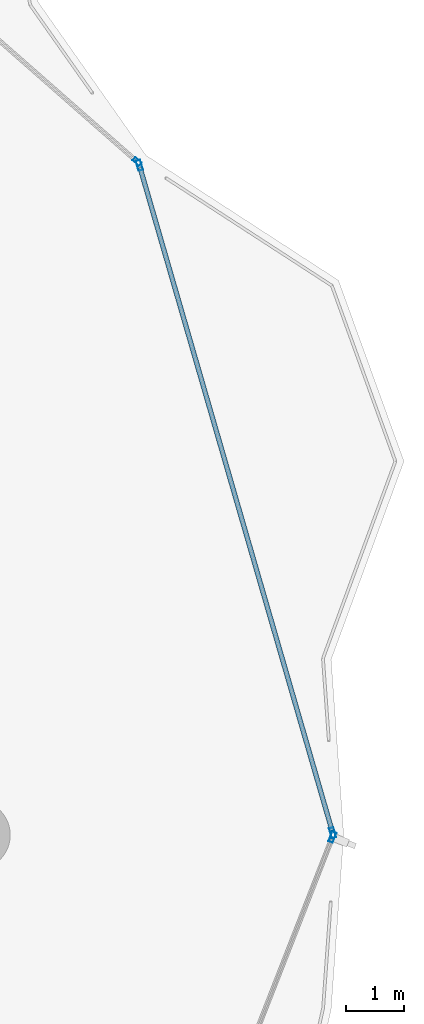
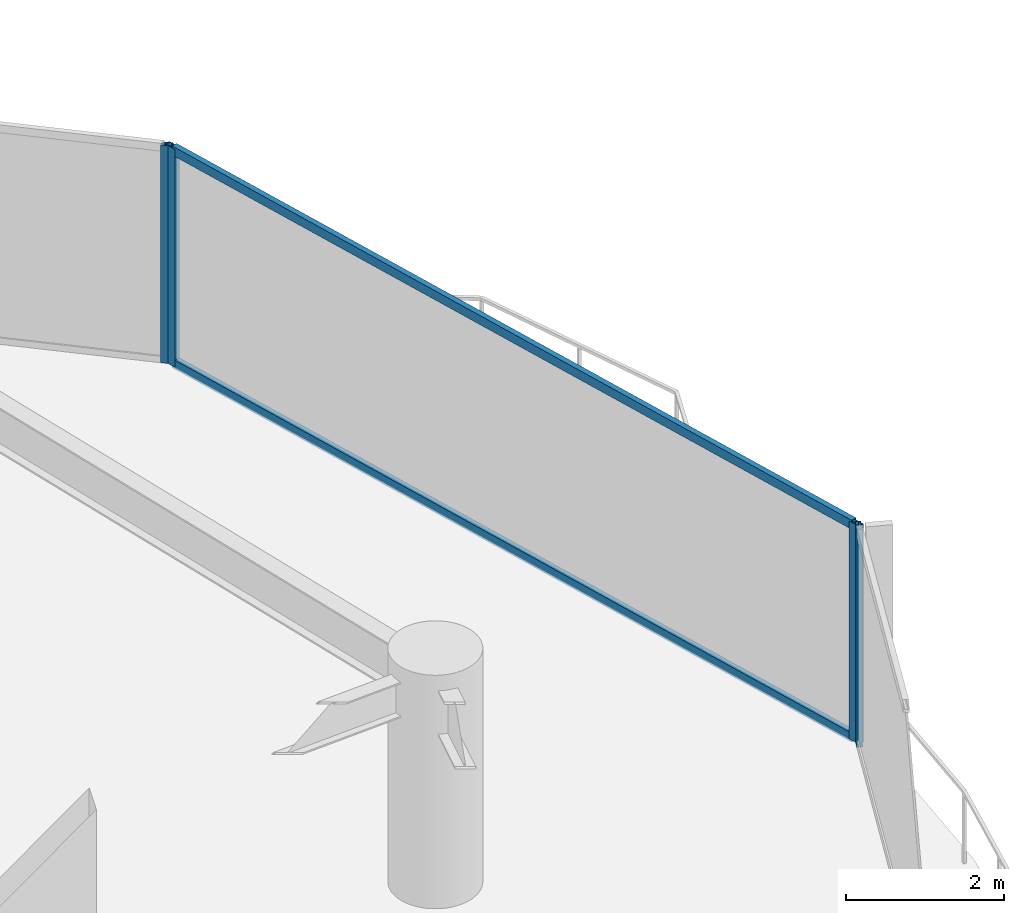
# One storey, part 24 of 34: 6 members, 3 elements without a shape of their own.
"""IFC4 building model written with IfcOpenShell, lengths in metres."""

import ifcopenshell
import ifcopenshell.guid

model = None  # the IFC model being written
_history = None  # IfcOwnerHistory: only IFC2X3 demands one
_inside = {}  # id of a spatial element -> (the spatial element, [elements in it])
_under = {}  # id of a project, library or spatial element -> (it, [spatial elements below it])
_declared = {}  # id of a project -> (the project, [libraries it declares])
_typed = {}  # id of a type object -> (the type object, [elements of that type])
_made_of = {}  # id of a material, layer set ... -> (it, [elements and type objects made of it])


def new_model(schema):
    """Start an empty IFC model of exactly this schema.

    Asked for "IFC4X3", IfcOpenShell would pick the latest addendum, in which some entities
    have other attributes; the version numbers below select the first issue.
    IFC2X3 requires an IfcOwnerHistory on every rooted entity: one is made here for all.
    """
    global model, _history
    if schema == "IFC4X3":
        model = ifcopenshell.file(schema_version=(4, 3, 0, 0))
    else:
        model = ifcopenshell.file(schema=schema)
    _inside.clear()
    _under.clear()
    _declared.clear()
    _typed.clear()
    _made_of.clear()
    _history = None
    if model.schema == "IFC2X3":
        org = make("IfcOrganization", Name="unknown")
        user = make(
            "IfcPersonAndOrganization",
            ThePerson=make("IfcPerson", FamilyName="unknown"),
            TheOrganization=org,
        )
        app = make(
            "IfcApplication",
            ApplicationDeveloper=org,
            Version="unknown",
            ApplicationFullName="unknown",
            ApplicationIdentifier="unknown",
        )
        _history = make(
            "IfcOwnerHistory",
            OwningUser=user,
            OwningApplication=app,
            ChangeAction="ADDED",
            CreationDate=0,
        )
    return model


def make(cls, **values):
    """One entity of the class cls with the attributes given. An attribute that is None is left unset."""
    return model.create_entity(
        cls, **{name: value for name, value in values.items() if value is not None}
    )


def rooted(cls, **values):
    """An entity with a GlobalId (a new one), such as an element, a storey or a relation."""
    return make(cls, GlobalId=ifcopenshell.guid.new(), OwnerHistory=_history, **values)


def si_unit(unit_type, name, prefix=None):
    """IfcSIUnit, for example si_unit("LENGTHUNIT", "METRE", prefix="MILLI")."""
    return make("IfcSIUnit", UnitType=unit_type, Prefix=prefix, Name=name)


def assignment(units):
    """IfcUnitAssignment: the units of a project."""
    return None if units is None else make("IfcUnitAssignment", Units=units)


def point(xyz):
    """IfcCartesianPoint."""
    return None if xyz is None else make("IfcCartesianPoint", Coordinates=xyz)


def direction(xyz):
    """IfcDirection."""
    return None if xyz is None else make("IfcDirection", DirectionRatios=xyz)


def frame(location, z_axis=None, x_axis=None):
    """IfcAxis2Placement3D, a coordinate frame: its origin and axes. An axis left out is left unset."""
    return make(
        "IfcAxis2Placement3D",
        Location=point(location),
        Axis=direction(z_axis),
        RefDirection=direction(x_axis),
    )


def frame_2d(location, x_axis=None):
    """IfcAxis2Placement2D, a coordinate frame in the plane: its origin and x axis."""
    return make(
        "IfcAxis2Placement2D", Location=point(location), RefDirection=direction(x_axis)
    )


def origin():
    """The frame at (0, 0, 0) with its axes left unset."""
    return frame((0.0, 0.0, 0.0))


def origin_2d():
    """The frame at (0, 0) in the plane with its x axis left unset."""
    return frame_2d((0.0, 0.0))


def place(relative_to, where):
    """IfcLocalPlacement: puts the frame where relative to a parent placement (None: the world)."""
    return make(
        "IfcLocalPlacement", PlacementRelTo=relative_to, RelativePlacement=where
    )


def context(
    kind, dimensions, precision=None, world=None, true_north=None, identifier=None
):
    """IfcGeometricRepresentationContext, for example the 3D "Model" context."""
    return make(
        "IfcGeometricRepresentationContext",
        ContextIdentifier=identifier,
        ContextType=kind,
        CoordinateSpaceDimension=dimensions,
        Precision=precision,
        WorldCoordinateSystem=world,
        TrueNorth=true_north,
    )


def subcontext(parent, identifier, kind, view, scale=None):
    """IfcGeometricRepresentationSubContext, for example "Body" below "Model"."""
    return make(
        "IfcGeometricRepresentationSubContext",
        ContextIdentifier=identifier,
        ContextType=kind,
        ParentContext=parent,
        TargetScale=scale,
        TargetView=view,
    )


def project(units=None, contexts=None):
    """IfcProject with its units and contexts."""
    return rooted(
        "IfcProject",
        Name="project",
        RepresentationContexts=contexts,
        UnitsInContext=assignment(units),
    )


def spatial(cls, under=None, at=None, **own):
    """A site, building, storey or space (cls), placed at a placement, below another one or the project."""
    s = rooted(cls, ObjectPlacement=at, **own)
    if under is not None:
        _under.setdefault(under.id(), (under, []))[1].append(s)
    return s


def profile(cls, at=None, kind="AREA", **sizes):
    """A parametric profile (cls). Its sizes go by their IFC names, for example OverallWidth=200.0."""
    return make(cls, ProfileType=kind, Position=at, **sizes)


def hollow_rectangle(**sizes):
    """IfcRectangleHollowProfileDef."""
    return profile("IfcRectangleHollowProfileDef", **sizes)


def extrude(swept, where, along, depth):
    """IfcExtrudedAreaSolid: the profile swept, set in the frame where, extruded along a direction by depth."""
    return make(
        "IfcExtrudedAreaSolid",
        SweptArea=swept,
        Position=where,
        ExtrudedDirection=direction(along),
        Depth=depth,
    )


def shape(context_of_items, identifier, shape_type, items):
    """IfcShapeRepresentation: the items that make up one representation, for example the "Body"."""
    return make(
        "IfcShapeRepresentation",
        ContextOfItems=context_of_items,
        RepresentationIdentifier=identifier,
        RepresentationType=shape_type,
        Items=items,
    )


def material(Name=None, Category=None):
    """IfcMaterial."""
    return make("IfcMaterial", Name=Name, Category=Category)


def layer(
    of_material, thickness, ventilated=None, Name=None, Category=None, Priority=None
):
    """IfcMaterialLayer: one layer of a wall or slab, of a material (None: an air gap)."""
    return make(
        "IfcMaterialLayer",
        Material=of_material,
        LayerThickness=thickness,
        IsVentilated=ventilated,
        Name=Name,
        Category=Category,
        Priority=Priority,
    )


def layer_set(layers, Name=None):
    """IfcMaterialLayerSet."""
    return make("IfcMaterialLayerSet", MaterialLayers=layers, LayerSetName=Name)


def material_profile(
    of_material, cross_section, Name=None, Category=None, Priority=None
):
    """IfcMaterialProfile: a cross section and its material."""
    return make(
        "IfcMaterialProfile",
        Name=Name,
        Material=of_material,
        Profile=cross_section,
        Priority=Priority,
        Category=Category,
    )


def profile_set(profiles, Name=None, composite=None):
    """IfcMaterialProfileSet."""
    return make(
        "IfcMaterialProfileSet",
        Name=Name,
        MaterialProfiles=profiles,
        CompositeProfile=composite,
    )


def made_of(thing, what):
    """Note that an element or type object is made of a material, layer set ...; save() writes the relation."""
    if what is not None:
        _made_of.setdefault(what.id(), (what, []))[1].append(thing)
    return thing


def type_object(cls, material=None, **own):
    """A type object (cls), such as IfcWallType, which elements share."""
    return made_of(rooted(cls, **own), material)


def element(
    cls,
    number,
    at=None,
    inside=None,
    cuts=None,
    type_object=None,
    material=None,
    context=None,
    identifier="Body",
    shape_type=None,
    held_by="IfcProductDefinitionShape",
    body=None,
    shapes=None,
    **own,
):
    """One element of the class cls, such as IfcWall. Its Tag is "e" and its number.

    at: its placement. inside: the storey or other place that contains it. cuts: it is an
    opening in that element (IfcRelVoidsElement). A single representation is given by context,
    identifier, shape_type and body (its items); several are given by shapes. held_by: the class
    of the entity that holds the representations. save() writes the other relations.
    """
    e = rooted(cls, Tag="e%d" % number, ObjectPlacement=at, **own)
    if body is not None:
        shapes = [shape(context, identifier, shape_type, body)]
    if shapes is not None:
        e.Representation = make(held_by, Representations=shapes)
    if inside is not None:
        _inside.setdefault(inside.id(), (inside, []))[1].append(e)
    if cuts is not None:
        rooted(
            "IfcRelVoidsElement", RelatingBuildingElement=cuts, RelatedOpeningElement=e
        )
    if type_object is not None:
        _typed.setdefault(type_object.id(), (type_object, []))[1].append(e)
    return made_of(e, material)


def aggregate(whole, parts):
    """IfcRelAggregates: a whole, such as a stair, and the parts it consists of."""
    return rooted("IfcRelAggregates", RelatingObject=whole, RelatedObjects=parts)


def save(model, path):
    """Write the relations noted so far, then the file.

    IfcRelAggregates (storeys below a building ...), IfcRelContainedInSpatialStructure (elements
    in a storey), IfcRelDefinesByType, IfcRelAssociatesMaterial and IfcRelDeclares: one each for
    every whole, place, type object, material and project.
    """
    for whole, parts in _under.values():
        aggregate(whole, parts)
    for where, things in _inside.values():
        rooted(
            "IfcRelContainedInSpatialStructure",
            RelatedElements=things,
            RelatingStructure=where,
        )
    for kind, things in _typed.values():
        rooted("IfcRelDefinesByType", RelatedObjects=things, RelatingType=kind)
    for what, things in _made_of.values():
        rooted("IfcRelAssociatesMaterial", RelatedObjects=things, RelatingMaterial=what)
    for by, libraries in _declared.values():
        rooted("IfcRelDeclares", RelatingContext=by, RelatedDefinitions=libraries)
    model.write(path)


model = new_model("IFC4")

# Units and contexts
model_context = context("Model", 3, precision=1e-05, world=origin(), true_north=direction((0.0, 1.0)))
body_context = subcontext(model_context, "Body", "Model", "MODEL_VIEW")
ifc_project = project(units=[si_unit("LENGTHUNIT", "METRE"), si_unit("AREAUNIT", "SQUARE_METRE"), si_unit("VOLUMEUNIT", "CUBIC_METRE"), si_unit("PLANEANGLEUNIT", "RADIAN"), si_unit("MASSUNIT", "GRAM", prefix="KILO")], contexts=[model_context])

# Site, building, storey
site_placement = place(None, origin())
site = spatial("IfcSite", under=ifc_project, at=site_placement, CompositionType="ELEMENT")
building_placement = place(site_placement, origin())
building = spatial("IfcBuilding", under=site, at=building_placement, Name="Kazevale Care Tower and Concert Hall", CompositionType="ELEMENT")
storey_placement = place(building_placement, frame((0.0, 0.0, 174.60009765625)))
storey = spatial("IfcBuildingStorey", under=building, at=storey_placement, Name="L46", CompositionType="ELEMENT", Elevation=174.60009765625)

# Curtain wall, member
ifc_material_1 = material(Name="Aluminium 6063-T6 and Low-E Glass", Category="aluminium")
ifc_layer_1 = layer(ifc_material_1, 0.179931640625)
ifc_layer_set_1 = layer_set([ifc_layer_1], Name="Aluminium 6063-T6 and Low-E Glass")
curtain_wall_type_1 = type_object("IfcCurtainWallType", Name="Convex Recessed Sunroom Curtain Wall CW-3", PredefinedType="NOTDEFINED", material=ifc_layer_set_1)
curtain_wall_1_placement = place(storey_placement, origin())
curtain_wall_1 = element("IfcCurtainWall", 1, at=curtain_wall_1_placement, inside=storey, type_object=curtain_wall_type_1, Name="cw:L46:f17", PredefinedType="NOTDEFINED")
ifc_material_2 = material(Name="Aluminium 6063-T6", Category="aluminium")
ifc_material_profile_1 = material_profile(ifc_material_2, hollow_rectangle(XDim=0.074951171875, YDim=0.14990234375, WallThickness=0.00390625, at=origin_2d()), Name="ALU75x150x4")
ifc_profile_set_1 = profile_set([ifc_material_profile_1], Name="Aluminium 6063-T6")
member_type_1 = type_object("IfcMemberType", Name="CW-3 Mullion ALU75x150x4", PredefinedType="MULLION", material=ifc_profile_set_1)
member_1_placement = place(storey_placement, frame((75.837890625, 49.607666015625, 0.0), z_axis=(0.0, 0.0, 1.0), x_axis=(0.659891732197, 0.751360700182, 0.0)))
member_1 = element("IfcMember", 2, at=member_1_placement, type_object=member_type_1, Name="CW-3 mullion 2", PredefinedType="MULLION", context=body_context, shape_type="SweptSolid", body=[
    extrude(hollow_rectangle(XDim=0.074951171875, YDim=0.14990234375, WallThickness=0.00390625, at=origin_2d()), origin(), (0.0, 0.0, 1.0), 3.35986328125),
])
aggregate(curtain_wall_1, [member_1])

ifc_layer_2 = layer(ifc_material_1, 0.179931640625)
ifc_layer_set_2 = layer_set([ifc_layer_2], Name="Aluminium 6063-T6 and Low-E Glass")
curtain_wall_type_2 = type_object("IfcCurtainWallType", Name="Waist & Upper Residential Curtain Wall CW-4", PredefinedType="NOTDEFINED", material=ifc_layer_set_2)
curtain_wall_2_placement = place(storey_placement, origin())
curtain_wall_2 = element("IfcCurtainWall", 3, at=curtain_wall_2_placement, inside=storey, type_object=curtain_wall_type_2, Name="cw:L46:f01", PredefinedType="NOTDEFINED")
ifc_material_profile_2 = material_profile(ifc_material_2, hollow_rectangle(XDim=0.080078125, YDim=0.179931640625, WallThickness=0.0048828125, at=origin_2d()), Name="ALU80x180x5")
ifc_profile_set_2 = profile_set([ifc_material_profile_2], Name="Aluminium 6063-T6")
member_type_2 = type_object("IfcMemberType", Name="CW-4 Mullion ALU80x180x5", PredefinedType="MULLION", material=ifc_profile_set_2)
member_2_placement = place(storey_placement, frame((79.205322265625, 37.962646484375, 0.0), z_axis=(0.0, 0.0, 1.0), x_axis=(0.931351746651, -0.36412075471, 0.0)))
member_2 = element("IfcMember", 4, at=member_2_placement, type_object=member_type_2, Name="CW-4 mullion 1", PredefinedType="MULLION", context=body_context, shape_type="SweptSolid", body=[
    extrude(hollow_rectangle(XDim=0.080078125, YDim=0.179931640625, WallThickness=0.0048828125, at=origin_2d()), origin(), (0.0, 0.0, 1.0), 3.35986328125),
])
aggregate(curtain_wall_2, [member_2])

# Curtain wall, members
curtain_wall_3_placement = place(storey_placement, origin())
curtain_wall_3 = element("IfcCurtainWall", 5, at=curtain_wall_3_placement, inside=storey, type_object=curtain_wall_type_2, Name="cw:L46:f18", PredefinedType="NOTDEFINED")
member_3_placement = place(storey_placement, frame((75.877197265625, 49.544677734375, 0.0), z_axis=(0.0, 0.0, 1.0), x_axis=(0.960541529182, 0.278136604418, 0.0)))
member_3 = element("IfcMember", 6, at=member_3_placement, type_object=member_type_2, Name="CW-4 mullion 1", PredefinedType="MULLION", context=body_context, shape_type="SweptSolid", body=[
    extrude(hollow_rectangle(XDim=0.080078125, YDim=0.179931640625, WallThickness=0.0048828125, at=origin_2d()), origin(), (0.0, 0.0, 1.0), 3.35986328125),
])
member_4_placement = place(storey_placement, frame((79.208984375, 38.038330078125, 0.0), z_axis=(0.0, 0.0, 1.0), x_axis=(0.960541529182, 0.278136604418, 0.0)))
member_4 = element("IfcMember", 7, at=member_4_placement, type_object=member_type_2, Name="CW-4 mullion 2", PredefinedType="MULLION", context=body_context, shape_type="SweptSolid", body=[
    extrude(hollow_rectangle(XDim=0.080078125, YDim=0.179931640625, WallThickness=0.0048828125, at=origin_2d()), origin(), (0.0, 0.0, 1.0), 3.35986328125),
])
ifc_material_profile_3 = material_profile(ifc_material_2, hollow_rectangle(XDim=0.080078125, YDim=0.139892578125, WallThickness=0.00390625, at=origin_2d()), Name="ALU80x140x4")
ifc_profile_set_3 = profile_set([ifc_material_profile_3], Name="Aluminium 6063-T6")
member_type_3 = type_object("IfcMemberType", Name="CW-4 Transom ALU80x140x4", PredefinedType="USERDEFINED", material=ifc_profile_set_3)
member_5_placement = place(storey_placement, frame((75.88818359375, 49.506103515625, 0.039794921875), z_axis=(0.278144763179, -0.960539166675, 0.0), x_axis=(0.960539166675, 0.278144763179, 0.0)))
member_5 = element("IfcMember", 8, at=member_5_placement, type_object=member_type_3, Name="CW-4 transom 1.1", ObjectType="TRANSOM", PredefinedType="USERDEFINED", context=body_context, shape_type="SweptSolid", body=[
    extrude(hollow_rectangle(XDim=0.080078125, YDim=0.139892578125, WallThickness=0.00390625, at=origin_2d()), origin(), (0.0, 0.0, 1.0), 11.898681640625),
])
member_6_placement = place(storey_placement, frame((75.88818359375, 49.506103515625, 3.31982421875), z_axis=(0.278144763179, -0.960539166675, 0.0), x_axis=(0.960539166675, 0.278144763179, 0.0)))
member_6 = element("IfcMember", 9, at=member_6_placement, type_object=member_type_3, Name="CW-4 transom 1.2", ObjectType="TRANSOM", PredefinedType="USERDEFINED", context=body_context, shape_type="SweptSolid", body=[
    extrude(hollow_rectangle(XDim=0.080078125, YDim=0.139892578125, WallThickness=0.00390625, at=origin_2d()), origin(), (0.0, 0.0, 1.0), 11.898681640625),
])
aggregate(curtain_wall_3, [member_3, member_4, member_5, member_6])

save(model, "model.ifc")
